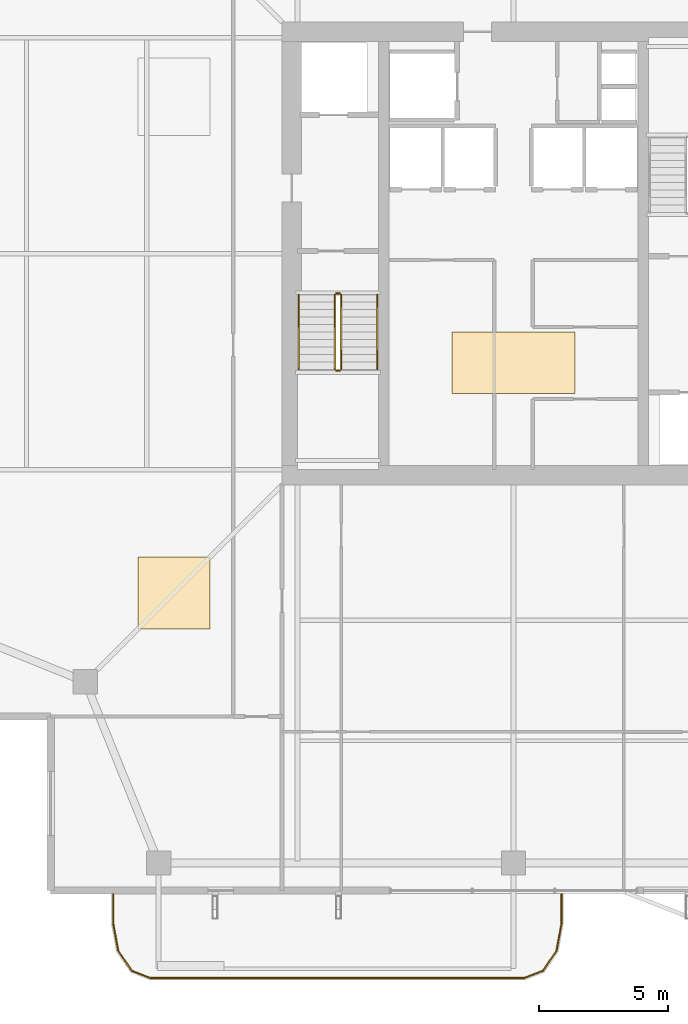
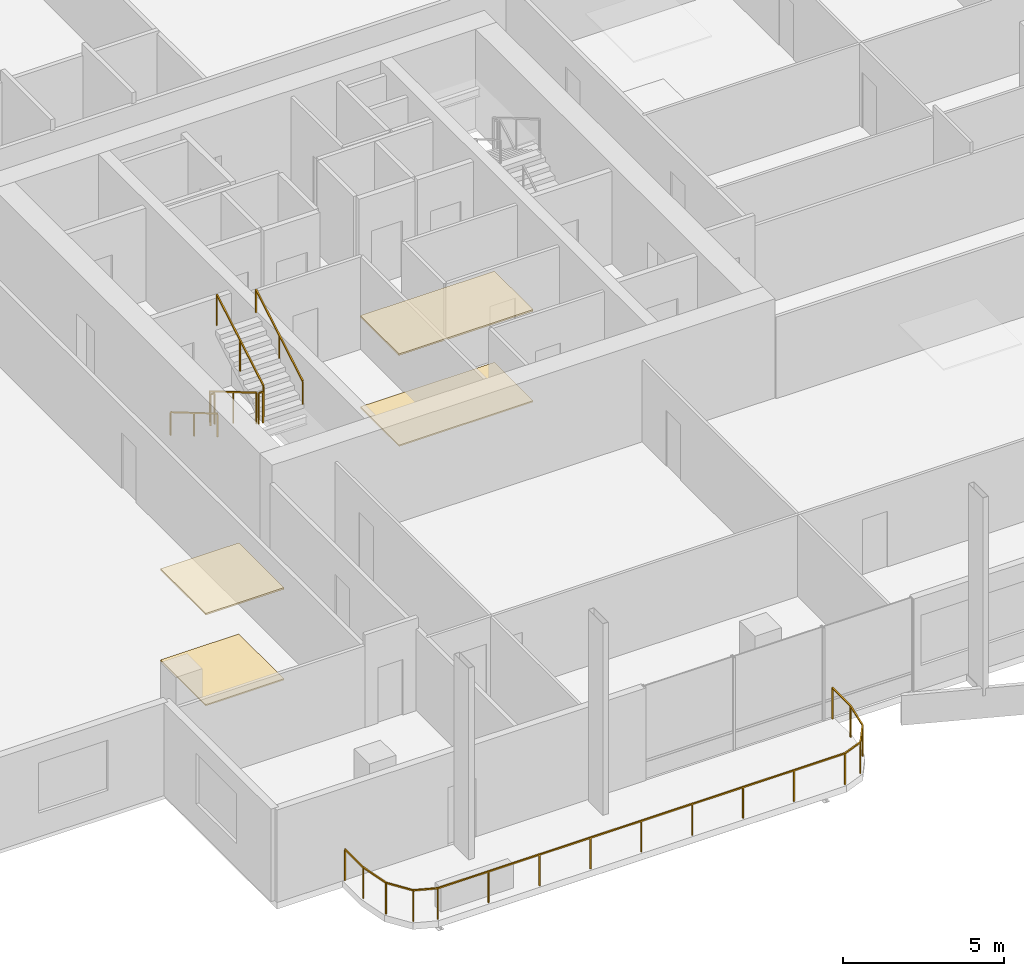
# One storey, part 22 of 25: 7 railings, 4 coverings.
"""IFC4 building model written with IfcOpenShell, lengths in metres."""

import ifcopenshell
import ifcopenshell.guid

model = None  # the IFC model being written
_history = None  # IfcOwnerHistory: only IFC2X3 demands one
_inside = {}  # id of a spatial element -> (the spatial element, [elements in it])
_under = {}  # id of a project, library or spatial element -> (it, [spatial elements below it])
_declared = {}  # id of a project -> (the project, [libraries it declares])
_typed = {}  # id of a type object -> (the type object, [elements of that type])
_made_of = {}  # id of a material, layer set ... -> (it, [elements and type objects made of it])


def new_model(schema):
    """Start an empty IFC model of exactly this schema.

    Asked for "IFC4X3", IfcOpenShell would pick the latest addendum, in which some entities
    have other attributes; the version numbers below select the first issue.
    IFC2X3 requires an IfcOwnerHistory on every rooted entity: one is made here for all.
    """
    global model, _history
    if schema == "IFC4X3":
        model = ifcopenshell.file(schema_version=(4, 3, 0, 0))
    else:
        model = ifcopenshell.file(schema=schema)
    _inside.clear()
    _under.clear()
    _declared.clear()
    _typed.clear()
    _made_of.clear()
    _history = None
    if model.schema == "IFC2X3":
        org = make("IfcOrganization", Name="unknown")
        user = make(
            "IfcPersonAndOrganization",
            ThePerson=make("IfcPerson", FamilyName="unknown"),
            TheOrganization=org,
        )
        app = make(
            "IfcApplication",
            ApplicationDeveloper=org,
            Version="unknown",
            ApplicationFullName="unknown",
            ApplicationIdentifier="unknown",
        )
        _history = make(
            "IfcOwnerHistory",
            OwningUser=user,
            OwningApplication=app,
            ChangeAction="ADDED",
            CreationDate=0,
        )
    return model


def make(cls, **values):
    """One entity of the class cls with the attributes given. An attribute that is None is left unset."""
    return model.create_entity(
        cls, **{name: value for name, value in values.items() if value is not None}
    )


def rooted(cls, **values):
    """An entity with a GlobalId (a new one), such as an element, a storey or a relation."""
    return make(cls, GlobalId=ifcopenshell.guid.new(), OwnerHistory=_history, **values)


def si_unit(unit_type, name, prefix=None):
    """IfcSIUnit, for example si_unit("LENGTHUNIT", "METRE", prefix="MILLI")."""
    return make("IfcSIUnit", UnitType=unit_type, Prefix=prefix, Name=name)


def assignment(units):
    """IfcUnitAssignment: the units of a project."""
    return None if units is None else make("IfcUnitAssignment", Units=units)


def point(xyz):
    """IfcCartesianPoint."""
    return None if xyz is None else make("IfcCartesianPoint", Coordinates=xyz)


def direction(xyz):
    """IfcDirection."""
    return None if xyz is None else make("IfcDirection", DirectionRatios=xyz)


def frame(location, z_axis=None, x_axis=None):
    """IfcAxis2Placement3D, a coordinate frame: its origin and axes. An axis left out is left unset."""
    return make(
        "IfcAxis2Placement3D",
        Location=point(location),
        Axis=direction(z_axis),
        RefDirection=direction(x_axis),
    )


def frame_2d(location, x_axis=None):
    """IfcAxis2Placement2D, a coordinate frame in the plane: its origin and x axis."""
    return make(
        "IfcAxis2Placement2D", Location=point(location), RefDirection=direction(x_axis)
    )


def origin():
    """The frame at (0, 0, 0) with its axes left unset."""
    return frame((0.0, 0.0, 0.0))


def origin_2d():
    """The frame at (0, 0) in the plane with its x axis left unset."""
    return frame_2d((0.0, 0.0))


def place(relative_to, where):
    """IfcLocalPlacement: puts the frame where relative to a parent placement (None: the world)."""
    return make(
        "IfcLocalPlacement", PlacementRelTo=relative_to, RelativePlacement=where
    )


def context(
    kind, dimensions, precision=None, world=None, true_north=None, identifier=None
):
    """IfcGeometricRepresentationContext, for example the 3D "Model" context."""
    return make(
        "IfcGeometricRepresentationContext",
        ContextIdentifier=identifier,
        ContextType=kind,
        CoordinateSpaceDimension=dimensions,
        Precision=precision,
        WorldCoordinateSystem=world,
        TrueNorth=true_north,
    )


def subcontext(parent, identifier, kind, view, scale=None):
    """IfcGeometricRepresentationSubContext, for example "Body" below "Model"."""
    return make(
        "IfcGeometricRepresentationSubContext",
        ContextIdentifier=identifier,
        ContextType=kind,
        ParentContext=parent,
        TargetScale=scale,
        TargetView=view,
    )


def project(units=None, contexts=None):
    """IfcProject with its units and contexts."""
    return rooted(
        "IfcProject",
        Name="project",
        RepresentationContexts=contexts,
        UnitsInContext=assignment(units),
    )


def spatial(cls, under=None, at=None, **own):
    """A site, building, storey or space (cls), placed at a placement, below another one or the project."""
    s = rooted(cls, ObjectPlacement=at, **own)
    if under is not None:
        _under.setdefault(under.id(), (under, []))[1].append(s)
    return s


def polyline(points):
    """IfcPolyline through the points."""
    return make("IfcPolyline", Points=[point(p) for p in points])


def profile(cls, at=None, kind="AREA", **sizes):
    """A parametric profile (cls). Its sizes go by their IFC names, for example OverallWidth=200.0."""
    return make(cls, ProfileType=kind, Position=at, **sizes)


def rectangle(**sizes):
    """IfcRectangleProfileDef."""
    return profile("IfcRectangleProfileDef", **sizes)


def outline(outer, holes=None, kind="AREA"):
    """IfcArbitraryClosedProfileDef: a profile drawn as a closed curve; with holes, ...WithVoids."""
    if holes is None:
        return make("IfcArbitraryClosedProfileDef", ProfileType=kind, OuterCurve=outer)
    return make(
        "IfcArbitraryProfileDefWithVoids",
        ProfileType=kind,
        OuterCurve=outer,
        InnerCurves=holes,
    )


def extrude(swept, where, along, depth):
    """IfcExtrudedAreaSolid: the profile swept, set in the frame where, extruded along a direction by depth."""
    return make(
        "IfcExtrudedAreaSolid",
        SweptArea=swept,
        Position=where,
        ExtrudedDirection=direction(along),
        Depth=depth,
    )


def shape(context_of_items, identifier, shape_type, items):
    """IfcShapeRepresentation: the items that make up one representation, for example the "Body"."""
    return make(
        "IfcShapeRepresentation",
        ContextOfItems=context_of_items,
        RepresentationIdentifier=identifier,
        RepresentationType=shape_type,
        Items=items,
    )


def material(Name=None, Category=None):
    """IfcMaterial."""
    return make("IfcMaterial", Name=Name, Category=Category)


def layer(
    of_material, thickness, ventilated=None, Name=None, Category=None, Priority=None
):
    """IfcMaterialLayer: one layer of a wall or slab, of a material (None: an air gap)."""
    return make(
        "IfcMaterialLayer",
        Material=of_material,
        LayerThickness=thickness,
        IsVentilated=ventilated,
        Name=Name,
        Category=Category,
        Priority=Priority,
    )


def layer_set(layers, Name=None):
    """IfcMaterialLayerSet."""
    return make("IfcMaterialLayerSet", MaterialLayers=layers, LayerSetName=Name)


def made_of(thing, what):
    """Note that an element or type object is made of a material, layer set ...; save() writes the relation."""
    if what is not None:
        _made_of.setdefault(what.id(), (what, []))[1].append(thing)
    return thing


def type_object(cls, material=None, **own):
    """A type object (cls), such as IfcWallType, which elements share."""
    return made_of(rooted(cls, **own), material)


def element(
    cls,
    number,
    at=None,
    inside=None,
    cuts=None,
    type_object=None,
    material=None,
    context=None,
    identifier="Body",
    shape_type=None,
    held_by="IfcProductDefinitionShape",
    body=None,
    shapes=None,
    **own,
):
    """One element of the class cls, such as IfcWall. Its Tag is "e" and its number.

    at: its placement. inside: the storey or other place that contains it. cuts: it is an
    opening in that element (IfcRelVoidsElement). A single representation is given by context,
    identifier, shape_type and body (its items); several are given by shapes. held_by: the class
    of the entity that holds the representations. save() writes the other relations.
    """
    e = rooted(cls, Tag="e%d" % number, ObjectPlacement=at, **own)
    if body is not None:
        shapes = [shape(context, identifier, shape_type, body)]
    if shapes is not None:
        e.Representation = make(held_by, Representations=shapes)
    if inside is not None:
        _inside.setdefault(inside.id(), (inside, []))[1].append(e)
    if cuts is not None:
        rooted(
            "IfcRelVoidsElement", RelatingBuildingElement=cuts, RelatedOpeningElement=e
        )
    if type_object is not None:
        _typed.setdefault(type_object.id(), (type_object, []))[1].append(e)
    return made_of(e, material)


def aggregate(whole, parts):
    """IfcRelAggregates: a whole, such as a stair, and the parts it consists of."""
    return rooted("IfcRelAggregates", RelatingObject=whole, RelatedObjects=parts)


def save(model, path):
    """Write the relations noted so far, then the file.

    IfcRelAggregates (storeys below a building ...), IfcRelContainedInSpatialStructure (elements
    in a storey), IfcRelDefinesByType, IfcRelAssociatesMaterial and IfcRelDeclares: one each for
    every whole, place, type object, material and project.
    """
    for whole, parts in _under.values():
        aggregate(whole, parts)
    for where, things in _inside.values():
        rooted(
            "IfcRelContainedInSpatialStructure",
            RelatedElements=things,
            RelatingStructure=where,
        )
    for kind, things in _typed.values():
        rooted("IfcRelDefinesByType", RelatedObjects=things, RelatingType=kind)
    for what, things in _made_of.values():
        rooted("IfcRelAssociatesMaterial", RelatedObjects=things, RelatingMaterial=what)
    for by, libraries in _declared.values():
        rooted("IfcRelDeclares", RelatingContext=by, RelatedDefinitions=libraries)
    model.write(path)


model = new_model("IFC4")

# Units and contexts
model_context = context("Model", 3, precision=1e-05, world=origin(), true_north=direction((0.0, 1.0)))
body_context = subcontext(model_context, "Body", "Model", "MODEL_VIEW")
ifc_project = project(units=[si_unit("LENGTHUNIT", "METRE"), si_unit("AREAUNIT", "SQUARE_METRE"), si_unit("VOLUMEUNIT", "CUBIC_METRE"), si_unit("PLANEANGLEUNIT", "RADIAN"), si_unit("MASSUNIT", "GRAM", prefix="KILO")], contexts=[model_context])

# Site, building, storey
site_placement = place(None, origin())
site = spatial("IfcSite", under=ifc_project, at=site_placement, CompositionType="ELEMENT")
building_placement = place(site_placement, origin())
building = spatial("IfcBuilding", under=site, at=building_placement, Name="Belovzor Exchange Tower", CompositionType="ELEMENT")
storey_placement = place(building_placement, frame((0.0, 0.0, 265.35009765625)))
storey = spatial("IfcBuildingStorey", under=building, at=storey_placement, Name="L66", CompositionType="ELEMENT", Elevation=265.35009765625)

# Railings
ifc_material_1 = material(Name="Stainless Steel Grade 304", Category="steel")
railing_type_1 = type_object("IfcRailingType", Name="Brushed Stainless Steel Stair Handrail 900", PredefinedType="HANDRAIL", material=ifc_material_1)
railing_1_placement = place(storey_placement, frame((20.449951171875, 27.199951171875, 0.17041015625)))
element("IfcRailing", 1, at=railing_1_placement, inside=storey, type_object=railing_type_1, Name="L66 ST-1 stair handrail 1", PredefinedType="HANDRAIL", context=body_context, shape_type="SweptSolid", body=[
    extrude(rectangle(XDim=0.048095703125, YDim=0.048095703125, at=origin_2d()), frame((0.0, 0.0, 0.8759765625), z_axis=(0.0, -0.86209462966, 0.506747323142), x_axis=(1.0, 0.0, 0.0)), (0.0, 0.0, 1.0), 3.36376953125),
    extrude(rectangle(XDim=0.0419921875, YDim=0.0419921875, at=origin_2d()), origin(), (0.0, 0.0, 1.0), 0.851806640625),
    extrude(rectangle(XDim=0.0419921875, YDim=0.0419921875, at=origin_2d()), frame((0.0, -1.449951171875, 0.852294921875)), (0.0, 0.0, 1.0), 0.851806640625),
    extrude(rectangle(XDim=0.0419921875, YDim=0.0419921875, at=origin_2d()), frame((0.0, -2.89990234375, 1.70458984375)), (0.0, 0.0, 1.0), 0.851806640625),
])
railing_2_placement = place(storey_placement, frame((23.5, 24.300048828125, 2.04541015625)))
element("IfcRailing", 2, at=railing_2_placement, inside=storey, type_object=railing_type_1, Name="L66 ST-1 stair handrail 2", PredefinedType="HANDRAIL", context=body_context, shape_type="SweptSolid", body=[
    extrude(rectangle(XDim=0.048095703125, YDim=0.048095703125, at=origin_2d()), frame((0.0, 0.0, 0.8759765625), z_axis=(0.0, 0.86209462966, 0.506747323142), x_axis=(-1.0, 0.0, 0.0)), (0.0, 0.0, 1.0), 3.36376953125),
    extrude(rectangle(XDim=0.0419921875, YDim=0.0419921875, at=origin_2d()), origin(), (0.0, 0.0, 1.0), 0.851806640625),
    extrude(rectangle(XDim=0.0419921875, YDim=0.0419921875, at=origin_2d()), frame((0.0, 1.449951171875, 0.852294921875)), (0.0, 0.0, 1.0), 0.851806640625),
    extrude(rectangle(XDim=0.0419921875, YDim=0.0419921875, at=origin_2d()), frame((0.0, 2.89990234375, 1.70458984375)), (0.0, 0.0, 1.0), 0.851806640625),
])
ifc_material_2 = material(Name="Stainless Steel and Laminated Safety Glass", Category="steel")
railing_type_2 = type_object("IfcRailingType", Name="Laminated Glass & Stainless Steel Balcony Balustrade 1200", PredefinedType="BALUSTRADE", material=ifc_material_2)
railing_3_placement = place(storey_placement, frame((13.22998046875, 3.889892578125, 0.0)))
element("IfcRailing", 3, at=railing_3_placement, inside=storey, type_object=railing_type_2, Name="GR-1 Balcony Balustrade L66 South", PredefinedType="BALUSTRADE", context=body_context, shape_type="SweptSolid", body=[
    extrude(rectangle(XDim=0.048095703125, YDim=0.048095703125, at=origin_2d()), frame((0.0, 0.0, 1.17578125), z_axis=(0.0, -1.0, 0.0), x_axis=(1.0, 0.0, 0.0)), (0.0, 0.0, 1.0), 1.1328125),
    extrude(rectangle(XDim=0.048095703125, YDim=0.048095703125, at=origin_2d()), frame((0.0, -1.1328125, 1.17578125), z_axis=(0.180083182347, -0.983651385113, 0.0), x_axis=(0.983651385113, 0.180083182347, 0.0)), (0.0, 0.0, 1.0), 1.093994140625),
    extrude(rectangle(XDim=0.048095703125, YDim=0.048095703125, at=origin_2d()), frame((0.197021484375, -2.208984375, 1.17578125), z_axis=(0.562768145367, -0.826614792125, 0.0), x_axis=(0.826614792125, 0.562768145367, 0.0)), (0.0, 0.0, 1.0), 0.9326171875),
    extrude(rectangle(XDim=0.048095703125, YDim=0.048095703125, at=origin_2d()), frame((0.721923828125, -2.97998046875, 1.17578125), z_axis=(0.930809580156, -0.365504480807, 0.0), x_axis=(0.365504480807, 0.930809580156, 0.0)), (0.0, 0.0, 1.0), 0.76611328125),
    extrude(rectangle(XDim=0.048095703125, YDim=0.048095703125, at=origin_2d()), frame((1.43505859375, -3.260009765625, 1.17578125), z_axis=(1.0, 0.0, 0.0), x_axis=(0.0, 1.0, 0.0)), (0.0, 0.0, 1.0), 14.570068359375),
    extrude(rectangle(XDim=0.048095703125, YDim=0.048095703125, at=origin_2d()), frame((16.005126953125, -3.260009765625, 1.17578125), z_axis=(0.930766990125, 0.365612923861, 0.0), x_axis=(-0.365612923861, 0.930766990125, 0.0)), (0.0, 0.0, 1.0), 0.765869140625),
    extrude(rectangle(XDim=0.048095703125, YDim=0.048095703125, at=origin_2d()), frame((16.718017578125, -2.97998046875, 1.17578125), z_axis=(0.562768145367, 0.826614792125, 0.0), x_axis=(-0.826614792125, 0.562768145367, 0.0)), (0.0, 0.0, 1.0), 0.9326171875),
    extrude(rectangle(XDim=0.048095703125, YDim=0.048095703125, at=origin_2d()), frame((17.242919921875, -2.208984375, 1.17578125), z_axis=(0.180083182347, 0.983651385113, 0.0), x_axis=(-0.983651385113, 0.180083182347, 0.0)), (0.0, 0.0, 1.0), 1.093994140625),
    extrude(rectangle(XDim=0.048095703125, YDim=0.048095703125, at=origin_2d()), frame((17.43994140625, -1.1328125, 1.17578125), z_axis=(0.0, 1.0, 0.0), x_axis=(-1.0, 0.0, 0.0)), (0.0, 0.0, 1.0), 1.1328125),
    extrude(rectangle(XDim=0.0419921875, YDim=0.0419921875, at=origin_2d()), origin(), (0.0, 0.0, 1.0), 1.15185546875),
    extrude(rectangle(XDim=0.0419921875, YDim=0.0419921875, at=origin_2d()), frame((0.0, -1.1328125, 0.0)), (0.0, 0.0, 1.0), 1.15185546875),
    extrude(rectangle(XDim=0.0419921875, YDim=0.0419921875, at=origin_2d()), frame((0.197021484375, -2.208984375, 0.0)), (0.0, 0.0, 1.0), 1.15185546875),
    extrude(rectangle(XDim=0.0419921875, YDim=0.0419921875, at=origin_2d()), frame((0.721923828125, -2.97998046875, 0.0)), (0.0, 0.0, 1.0), 1.15185546875),
    extrude(rectangle(XDim=0.0419921875, YDim=0.0419921875, at=origin_2d()), frame((1.43505859375, -3.260009765625, 0.0)), (0.0, 0.0, 1.0), 1.15185546875),
    extrude(rectangle(XDim=0.0419921875, YDim=0.0419921875, at=origin_2d()), frame((3.25634765625, -3.260009765625, 0.0)), (0.0, 0.0, 1.0), 1.15185546875),
    extrude(rectangle(XDim=0.0419921875, YDim=0.0419921875, at=origin_2d()), frame((5.07763671875, -3.260009765625, 0.0)), (0.0, 0.0, 1.0), 1.15185546875),
    extrude(rectangle(XDim=0.0419921875, YDim=0.0419921875, at=origin_2d()), frame((6.89892578125, -3.260009765625, 0.0)), (0.0, 0.0, 1.0), 1.15185546875),
    extrude(rectangle(XDim=0.0419921875, YDim=0.0419921875, at=origin_2d()), frame((8.72021484375, -3.260009765625, 0.0)), (0.0, 0.0, 1.0), 1.15185546875),
    extrude(rectangle(XDim=0.0419921875, YDim=0.0419921875, at=origin_2d()), frame((10.541259765625, -3.260009765625, 0.0)), (0.0, 0.0, 1.0), 1.15185546875),
    extrude(rectangle(XDim=0.0419921875, YDim=0.0419921875, at=origin_2d()), frame((12.362548828125, -3.260009765625, 0.0)), (0.0, 0.0, 1.0), 1.15185546875),
    extrude(rectangle(XDim=0.0419921875, YDim=0.0419921875, at=origin_2d()), frame((14.183837890625, -3.260009765625, 0.0)), (0.0, 0.0, 1.0), 1.15185546875),
    extrude(rectangle(XDim=0.0419921875, YDim=0.0419921875, at=origin_2d()), frame((16.005126953125, -3.260009765625, 0.0)), (0.0, 0.0, 1.0), 1.15185546875),
    extrude(rectangle(XDim=0.0419921875, YDim=0.0419921875, at=origin_2d()), frame((16.718017578125, -2.97998046875, 0.0)), (0.0, 0.0, 1.0), 1.15185546875),
    extrude(rectangle(XDim=0.0419921875, YDim=0.0419921875, at=origin_2d()), frame((17.242919921875, -2.208984375, 0.0)), (0.0, 0.0, 1.0), 1.15185546875),
    extrude(rectangle(XDim=0.0419921875, YDim=0.0419921875, at=origin_2d()), frame((17.43994140625, -1.1328125, 0.0)), (0.0, 0.0, 1.0), 1.15185546875),
    extrude(rectangle(XDim=0.0419921875, YDim=0.0419921875, at=origin_2d()), frame((17.43994140625, 0.0, 0.0)), (0.0, 0.0, 1.0), 1.15185546875),
])
ifc_material_3 = material(Name="Steel S355", Category="steel")
railing_type_3 = type_object("IfcRailingType", Name="Painted Steel Stairwell Guardrail 1200", PredefinedType="GUARDRAIL", material=ifc_material_3)
railing_4_placement = place(storey_placement, frame((21.85009765625, 27.199951171875, 0.17041015625)))
element("IfcRailing", 4, at=railing_4_placement, inside=storey, type_object=railing_type_3, Name="L66 ST-1 stair guard 1", PredefinedType="GUARDRAIL", context=body_context, shape_type="SweptSolid", body=[
    extrude(rectangle(XDim=0.048095703125, YDim=0.048095703125, at=origin_2d()), frame((0.0, 0.0, 1.17578125), z_axis=(0.0, -0.86209462966, 0.506747323142), x_axis=(1.0, 0.0, 0.0)), (0.0, 0.0, 1.0), 3.36376953125),
    extrude(rectangle(XDim=0.0419921875, YDim=0.0419921875, at=origin_2d()), origin(), (0.0, 0.0, 1.0), 1.15185546875),
    extrude(rectangle(XDim=0.0419921875, YDim=0.0419921875, at=origin_2d()), frame((0.0, -1.449951171875, 0.852294921875)), (0.0, 0.0, 1.0), 1.15185546875),
    extrude(rectangle(XDim=0.0419921875, YDim=0.0419921875, at=origin_2d()), frame((0.0, -2.89990234375, 1.70458984375)), (0.0, 0.0, 1.0), 1.15185546875),
])
railing_5_placement = place(storey_placement, frame((21.89990234375, 24.25, 1.875)))
element("IfcRailing", 5, at=railing_5_placement, inside=storey, type_object=railing_type_3, Name="L66 ST-1 stair guard 2", PredefinedType="GUARDRAIL", context=body_context, shape_type="SweptSolid", body=[
    extrude(rectangle(XDim=0.048095703125, YDim=0.048095703125, at=origin_2d()), frame((0.0, 0.0, 1.17578125), z_axis=(1.0, 0.0, 0.0), x_axis=(0.0, 1.0, 0.0)), (0.0, 0.0, 1.0), 0.150146484375),
    extrude(rectangle(XDim=0.0419921875, YDim=0.0419921875, at=origin_2d()), origin(), (0.0, 0.0, 1.0), 1.15185546875),
    extrude(rectangle(XDim=0.0419921875, YDim=0.0419921875, at=origin_2d()), frame((0.150146484375, 0.0, 0.0)), (0.0, 0.0, 1.0), 1.15185546875),
])
railing_6_placement = place(storey_placement, frame((22.10009765625, 24.300048828125, 2.04541015625)))
element("IfcRailing", 6, at=railing_6_placement, inside=storey, type_object=railing_type_3, Name="L66 ST-1 stair guard 3", PredefinedType="GUARDRAIL", context=body_context, shape_type="SweptSolid", body=[
    extrude(rectangle(XDim=0.048095703125, YDim=0.048095703125, at=origin_2d()), frame((0.0, 0.0, 1.17578125), z_axis=(0.0, 0.86209462966, 0.506747323142), x_axis=(-1.0, 0.0, 0.0)), (0.0, 0.0, 1.0), 3.36376953125),
    extrude(rectangle(XDim=0.0419921875, YDim=0.0419921875, at=origin_2d()), origin(), (0.0, 0.0, 1.0), 1.15185546875),
    extrude(rectangle(XDim=0.0419921875, YDim=0.0419921875, at=origin_2d()), frame((0.0, 1.449951171875, 0.852294921875)), (0.0, 0.0, 1.0), 1.15185546875),
    extrude(rectangle(XDim=0.0419921875, YDim=0.0419921875, at=origin_2d()), frame((0.0, 2.89990234375, 1.70458984375)), (0.0, 0.0, 1.0), 1.15185546875),
])
railing_7_placement = place(storey_placement, frame((21.89990234375, 27.25, 0.0)))
element("IfcRailing", 7, at=railing_7_placement, inside=storey, type_object=railing_type_3, Name="L66 ST-1 stair guard 4", PredefinedType="GUARDRAIL", context=body_context, shape_type="SweptSolid", body=[
    extrude(rectangle(XDim=0.048095703125, YDim=0.048095703125, at=origin_2d()), frame((0.0, 0.0, 1.17578125), z_axis=(1.0, 0.0, 0.0), x_axis=(0.0, 1.0, 0.0)), (0.0, 0.0, 1.0), 0.150146484375),
    extrude(rectangle(XDim=0.0419921875, YDim=0.0419921875, at=origin_2d()), origin(), (0.0, 0.0, 1.0), 1.15185546875),
    extrude(rectangle(XDim=0.0419921875, YDim=0.0419921875, at=origin_2d()), frame((0.150146484375, 0.0, 0.0)), (0.0, 0.0, 1.0), 1.15185546875),
])

# Coverings
ifc_material_4 = material(Name="Perforated Powder-Coated Aluminium", Category="aluminium")
ifc_layer_1 = layer(ifc_material_4, 0.06005859375)
ifc_layer_set_1 = layer_set([ifc_layer_1], Name="Perforated Powder-Coated Aluminium")
covering_type_1 = type_object("IfcCoveringType", Name="Perforated Acoustic Metal Tile Suspended Ceiling 60", PredefinedType="CEILING", material=ifc_layer_set_1)
covering_1_placement = place(storey_placement, frame((0.0, 0.0, 3.43994140625)))
element("IfcCovering", 8, at=covering_1_placement, inside=storey, type_object=covering_type_1, Name="CLG-AC60 Suspended Ceiling CLG-L66-LOB", PredefinedType="CEILING", context=body_context, shape_type="SweptSolid", body=[
    extrude(outline(polyline([(26.39990234375, 23.35009765625), (31.199951171875, 23.35009765625), (31.199951171875, 25.75), (26.39990234375, 25.75), (26.39990234375, 23.35009765625)])), origin(), (0.0, 0.0, 1.0), 0.06005859375),
])
covering_2_placement = place(storey_placement, frame((0.0, 0.0, 3.43994140625)))
element("IfcCovering", 9, at=covering_2_placement, inside=storey, type_object=covering_type_1, Name="CLG-AC60 Suspended Ceiling CLG-L66-Z0", PredefinedType="CEILING", context=body_context, shape_type="SweptSolid", body=[
    extrude(outline(polyline([(14.199951171875, 14.199951171875), (17.0, 14.199951171875), (17.0, 17.0), (14.199951171875, 17.0), (14.199951171875, 14.199951171875)])), origin(), (0.0, 0.0, 1.0), 0.06005859375),
])
ifc_material_5 = material(Name="Polished Natural Granite Tile", Category="masonry")
ifc_layer_2 = layer(ifc_material_5, 0.050048828125)
ifc_layer_set_2 = layer_set([ifc_layer_2], Name="Polished Natural Granite Tile")
covering_type_2 = type_object("IfcCoveringType", Name="Polished Karelian Granite & Raised Access Floor Finish 50", PredefinedType="FLOORING", material=ifc_layer_set_2)
covering_3_placement = place(storey_placement, origin())
element("IfcCovering", 10, at=covering_3_placement, inside=storey, type_object=covering_type_2, Name="FLR-GR50 Floor Finish FLR-L66-LOB", PredefinedType="FLOORING", context=body_context, shape_type="SweptSolid", body=[
    extrude(outline(polyline([(26.39990234375, 23.35009765625), (31.199951171875, 23.35009765625), (31.199951171875, 25.75), (26.39990234375, 25.75), (26.39990234375, 23.35009765625)])), origin(), (0.0, 0.0, 1.0), 0.0498046875),
])
covering_4_placement = place(storey_placement, origin())
element("IfcCovering", 11, at=covering_4_placement, inside=storey, type_object=covering_type_2, Name="FLR-GR50 Floor Finish FLR-L66-Z0", PredefinedType="FLOORING", context=body_context, shape_type="SweptSolid", body=[
    extrude(outline(polyline([(14.199951171875, 14.199951171875), (17.0, 14.199951171875), (17.0, 17.0), (14.199951171875, 17.0), (14.199951171875, 14.199951171875)])), origin(), (0.0, 0.0, 1.0), 0.0498046875),
])

save(model, "model.ifc")
